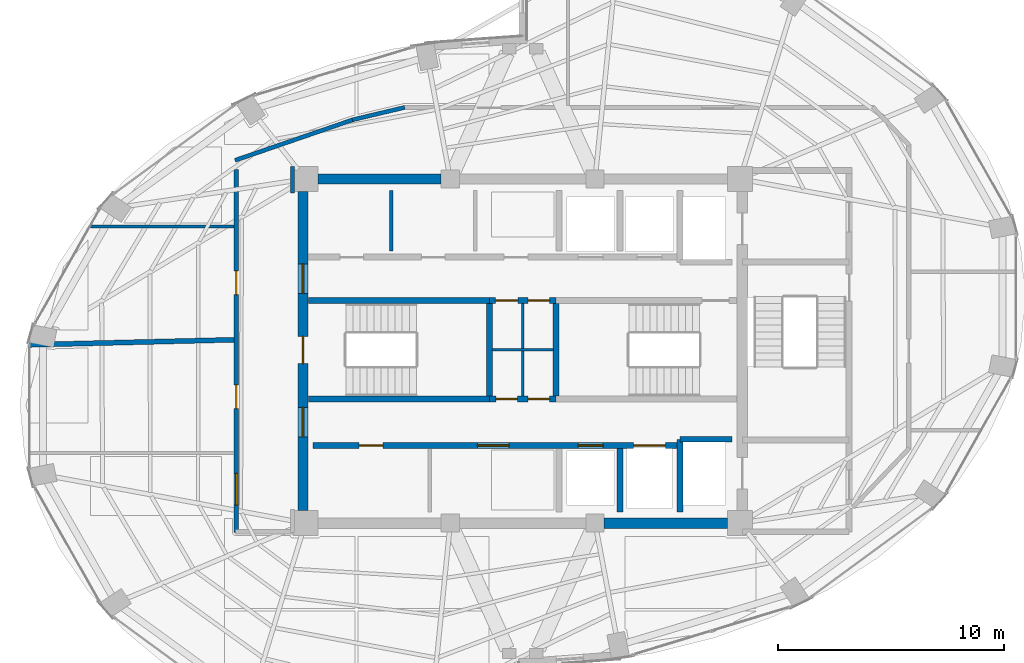
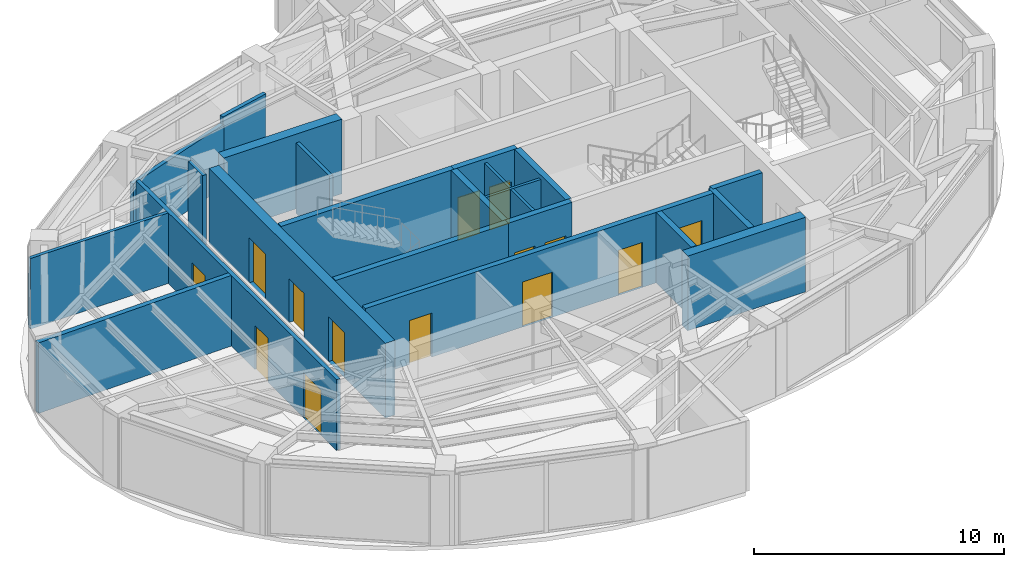
# One storey, part 19 of 23: 22 walls, 14 doors, 14 openings.
"""IFC4 building model written with IfcOpenShell, lengths in metres."""

from ifc_helpers import new_model, si_unit, direction, frame, frame_2d, origin, place, context, subcontext, project, spatial, rectangle, extrude, material, layer, layer_set, type_object, element, fill, save


model = new_model("IFC4")

# Units and contexts
model_context = context("Model", 3, precision=1e-05, world=origin(), true_north=direction((0.0, 1.0)))
body_context = subcontext(model_context, "Body", "Model", "MODEL_VIEW")
ifc_project = project(units=[si_unit("LENGTHUNIT", "METRE"), si_unit("AREAUNIT", "SQUARE_METRE"), si_unit("VOLUMEUNIT", "CUBIC_METRE"), si_unit("PLANEANGLEUNIT", "RADIAN"), si_unit("MASSUNIT", "GRAM", prefix="KILO")], contexts=[model_context])

# Site, building, storey
site_placement = place(None, origin())
site = spatial("IfcSite", under=ifc_project, at=site_placement, CompositionType="ELEMENT")
building_placement = place(site_placement, origin())
building = spatial("IfcBuilding", under=site, at=building_placement, Name="Lazwardi Medical Tower", CompositionType="ELEMENT")
storey_placement = place(building_placement, frame((0.0, 0.0, 234.9599609375)))
storey = spatial("IfcBuildingStorey", under=building, at=storey_placement, Name="L61", CompositionType="ELEMENT", Elevation=234.9599609375)

# Walls
ifc_material_1 = material(Name="Fire-rated gypsum board on steel stud", Category="steel")
ifc_layer_1 = layer(ifc_material_1, 0.179931640625)
ifc_layer_set_1 = layer_set([ifc_layer_1], Name="Fire-rated gypsum board on steel stud")
wall_type_1 = type_object("IfcWallType", Name="WL-COR-180", PredefinedType="PARTITIONING", material=ifc_layer_set_1)
wall_1_placement = place(storey_placement, frame((23.294189453125, 36.422119140625, 0.0), z_axis=(0.0, 0.0, 1.0), x_axis=(0.945493277461, 0.325641616316, 0.0)))
element("IfcWall", 1, at=wall_1_placement, inside=storey, type_object=wall_type_1, Name="L61 Corridor partition 1", PredefinedType="PARTITIONING", context=body_context, shape_type="SweptSolid", body=[
    extrude(rectangle(XDim=5.5615234375, YDim=0.179931640625, at=frame_2d((2.78076171875, 0.0))), origin(), (0.0, 0.0, 1.0), 3.072998046875),
])
wall_2_placement = place(storey_placement, frame((28.475830078125, 38.2109375, 0.0), z_axis=(0.0, 0.0, 1.0), x_axis=(0.973030562203, 0.230676234189, 0.0)))
element("IfcWall", 2, at=wall_2_placement, inside=storey, type_object=wall_type_1, Name="L61 Corridor partition 2", PredefinedType="PARTITIONING", context=body_context, shape_type="SweptSolid", body=[
    extrude(rectangle(XDim=2.377197265625, YDim=0.179931640625, at=frame_2d((1.1884765625, 0.0))), origin(), (0.0, 0.0, 1.0), 3.447998046875),
])
wall_3_placement = place(storey_placement, frame((25.830078125, 36.139892578125, 0.0), z_axis=(0.0, 0.0, 1.0), x_axis=(0.0, -1.0, 0.0)))
element("IfcWall", 3, at=wall_3_placement, inside=storey, type_object=wall_type_1, Name="L61 Corridor partition 7", PredefinedType="PARTITIONING", context=body_context, shape_type="SweptSolid", body=[
    extrude(rectangle(XDim=1.14990234375, YDim=0.179931640625, at=frame_2d((0.574951171875, 0.0))), origin(), (0.0, 0.0, 1.0), 3.447998046875),
])

# Wall, openings, doors
wall_4_placement = place(storey_placement, frame((23.35009765625, 19.97998046875, 0.0), z_axis=(0.0, 0.0, 1.0), x_axis=(0.0, 1.0, 0.0)))
wall_4 = element("IfcWall", 4, at=wall_4_placement, inside=storey, type_object=wall_type_1, Name="L61 Corridor partition 10", PredefinedType="PARTITIONING", context=body_context, shape_type="SweptSolid", body=[
    extrude(rectangle(XDim=16.04248046875, YDim=0.179931640625, at=frame_2d((8.021240234375, 0.0))), origin(), (0.0, 0.0, 1.0), 3.447998046875),
])
opening_1_placement = place(wall_4_placement, frame((5.4765625, 0.0, 0.0)))
opening_1 = element("IfcOpeningElement", 5, at=opening_1_placement, cuts=wall_4, Name="Opening D-L61-014", PredefinedType="OPENING", context=body_context, shape_type="SweptSolid", body=[
    extrude(rectangle(XDim=1.050048828125, YDim=2.14990234375, at=frame_2d((0.52490234375, 1.074951171875))), frame((0.0, 0.099853515625, 0.0), z_axis=(0.0, -1.0, 0.0), x_axis=(1.0, 0.0, 0.0)), (0.0, 0.0, 1.0), 0.199951171875),
])
opening_2_placement = place(wall_4_placement, frame((1.218994140625, 0.0, 0.0)))
opening_2 = element("IfcOpeningElement", 6, at=opening_2_placement, cuts=wall_4, Name="Opening D-L61-015", PredefinedType="OPENING", context=body_context, shape_type="SweptSolid", body=[
    extrude(rectangle(XDim=1.39990234375, YDim=2.199951171875, at=frame_2d((0.699951171875, 1.10009765625))), frame((0.0, 0.099853515625, 0.0), z_axis=(0.0, -1.0, 0.0), x_axis=(1.0, 0.0, 0.0)), (0.0, 0.0, 1.0), 0.199951171875),
])
opening_3_placement = place(wall_4_placement, frame((10.511474609375, 0.0, 0.0)))
opening_3 = element("IfcOpeningElement", 7, at=opening_3_placement, cuts=wall_4, Name="Opening D-L61-019", PredefinedType="OPENING", context=body_context, shape_type="SweptSolid", body=[
    extrude(rectangle(XDim=1.050048828125, YDim=2.14990234375, at=frame_2d((0.52490234375, 1.074951171875))), frame((0.0, 0.099853515625, 0.0), z_axis=(0.0, -1.0, 0.0), x_axis=(1.0, 0.0, 0.0)), (0.0, 0.0, 1.0), 0.199951171875),
])
ifc_material_2 = material(Name="Anti-microbial laminate hospital leaf")
door_type_1 = type_object("IfcDoorType", Name="DR-BED-1400", OperationType="NOTDEFINED", PredefinedType="DOOR", material=ifc_material_2)
door_1_placement = place(opening_2_placement, origin())
door_1 = element("IfcDoor", 8, at=door_1_placement, inside=storey, type_object=door_type_1, Name="L61 Department Reception Foyer Door 02", OperationType="SINGLE_SWING_RIGHT", OverallHeight=2.199951171875, OverallWidth=1.39990234375, PredefinedType="DOOR", context=body_context, shape_type="SweptSolid", body=[
    extrude(rectangle(XDim=1.39990234375, YDim=2.199951171875, at=frame_2d((0.699951171875, 1.10009765625))), frame((0.0, 0.02490234375, 0.0), z_axis=(0.0, -1.0, 0.0), x_axis=(1.0, 0.0, 0.0)), (0.0, 0.0, 1.0), 0.050048828125),
])
fill(opening_2, door_1)
door_type_2 = type_object("IfcDoorType", Name="DR-CLN-1050", OperationType="NOTDEFINED", PredefinedType="DOOR", material=ifc_material_2)
door_2_placement = place(opening_1_placement, origin())
door_2 = element("IfcDoor", 9, at=door_2_placement, inside=storey, type_object=door_type_2, Name="L61 Clinical Specialist Office Door 01", OperationType="SINGLE_SWING_LEFT", OverallHeight=2.14990234375, OverallWidth=1.050048828125, PredefinedType="DOOR", context=body_context, shape_type="SweptSolid", body=[
    extrude(rectangle(XDim=1.050048828125, YDim=2.14990234375, at=frame_2d((0.52490234375, 1.074951171875))), frame((0.0, 0.02490234375, 0.0), z_axis=(0.0, -1.0, 0.0), x_axis=(1.0, 0.0, 0.0)), (0.0, 0.0, 1.0), 0.050048828125),
])
fill(opening_1, door_2)
door_3_placement = place(opening_3_placement, origin())
door_3 = element("IfcDoor", 10, at=door_3_placement, inside=storey, type_object=door_type_2, Name="L61 Clinical Specialist Office Door 06", OperationType="SINGLE_SWING_RIGHT", OverallHeight=2.14990234375, OverallWidth=1.050048828125, PredefinedType="DOOR", context=body_context, shape_type="SweptSolid", body=[
    extrude(rectangle(XDim=1.050048828125, YDim=2.14990234375, at=frame_2d((0.52490234375, 1.074951171875))), frame((0.0, 0.02490234375, 0.0), z_axis=(0.0, -1.0, 0.0), x_axis=(1.0, 0.0, 0.0)), (0.0, 0.0, 1.0), 0.050048828125),
])
fill(opening_3, door_3)

ifc_material_3 = material(Name="Concrete C60/75", Category="concrete")
ifc_layer_2 = layer(ifc_material_3, 0.449951171875)
ifc_layer_set_2 = layer_set([ifc_layer_2], Name="Concrete C60/75")
wall_type_2 = type_object("IfcWallType", Name="WL-CORE-450", PredefinedType="SHEAR", material=ifc_layer_set_2)
wall_5_placement = place(storey_placement, frame((26.300048828125, 20.949951171875, 0.0), z_axis=(0.0, 0.0, 1.0), x_axis=(0.0, 1.0, 0.0)))
wall_5 = element("IfcWall", 11, at=wall_5_placement, inside=storey, type_object=wall_type_2, Name="Core wall CW-S4 west L61", PredefinedType="SHEAR", context=body_context, shape_type="SweptSolid", body=[
    extrude(rectangle(XDim=14.10009765625, YDim=0.449951171875, at=frame_2d((7.050048828125, 0.0))), origin(), (0.0, 0.0, 1.0), 3.64794921875),
])
opening_4_placement = place(wall_5_placement, frame((6.5, 0.0, 0.0)))
opening_4 = element("IfcOpeningElement", 12, at=opening_4_placement, cuts=wall_5, Name="Opening D-L61-020", PredefinedType="OPENING", context=body_context, shape_type="SweptSolid", body=[
    extrude(rectangle(XDim=1.199951171875, YDim=2.14990234375, at=frame_2d((0.60009765625, 1.074951171875))), frame((0.0, 0.23486328125, 0.0), z_axis=(0.0, -1.0, 0.0), x_axis=(1.0, 0.0, 0.0)), (0.0, 0.0, 1.0), 0.469970703125),
])
opening_5_placement = place(wall_5_placement, frame((9.60009765625, 0.0, 0.0)))
opening_5 = element("IfcOpeningElement", 13, at=opening_5_placement, cuts=wall_5, Name="Opening D-L61-012", PredefinedType="OPENING", context=body_context, shape_type="SweptSolid", body=[
    extrude(rectangle(XDim=1.300048828125, YDim=2.199951171875, at=frame_2d((0.64990234375, 1.10009765625))), frame((0.0, 0.23486328125, 0.0), z_axis=(0.0, -1.0, 0.0), x_axis=(1.0, 0.0, 0.0)), (0.0, 0.0, 1.0), 0.469970703125),
])
opening_6_placement = place(wall_5_placement, frame((3.260009765625, 0.0, 0.0)))
opening_6 = element("IfcOpeningElement", 14, at=opening_6_placement, cuts=wall_5, Name="Opening D-L61-013", PredefinedType="OPENING", context=body_context, shape_type="SweptSolid", body=[
    extrude(rectangle(XDim=1.300048828125, YDim=2.199951171875, at=frame_2d((0.64990234375, 1.10009765625))), frame((0.0, 0.23486328125, 0.0), z_axis=(0.0, -1.0, 0.0), x_axis=(1.0, 0.0, 0.0)), (0.0, 0.0, 1.0), 0.469970703125),
])
ifc_material_4 = material(Name="Fire-rated steel leaf and frame", Category="steel")
door_type_3 = type_object("IfcDoorType", Name="DR-FFL-1300", OperationType="NOTDEFINED", PredefinedType="DOOR", material=ifc_material_4)
door_4_placement = place(opening_5_placement, origin())
door_4 = element("IfcDoor", 15, at=door_4_placement, inside=storey, type_object=door_type_3, Name="L61 North Lift Lobby Door", OperationType="SINGLE_SWING_LEFT", OverallHeight=2.199951171875, OverallWidth=1.300048828125, PredefinedType="DOOR", context=body_context, shape_type="SweptSolid", body=[
    extrude(rectangle(XDim=1.300048828125, YDim=2.199951171875, at=frame_2d((0.64990234375, 1.10009765625))), frame((0.0, 0.02490234375, 0.0), z_axis=(0.0, -1.0, 0.0), x_axis=(1.0, 0.0, 0.0)), (0.0, 0.0, 1.0), 0.050048828125),
])
fill(opening_5, door_4)
door_5_placement = place(opening_6_placement, origin())
door_5 = element("IfcDoor", 16, at=door_5_placement, inside=storey, type_object=door_type_3, Name="L61 South Lift Lobby Door", OperationType="SINGLE_SWING_RIGHT", OverallHeight=2.199951171875, OverallWidth=1.300048828125, PredefinedType="DOOR", context=body_context, shape_type="SweptSolid", body=[
    extrude(rectangle(XDim=1.300048828125, YDim=2.199951171875, at=frame_2d((0.64990234375, 1.10009765625))), frame((0.0, 0.02490234375, 0.0), z_axis=(0.0, -1.0, 0.0), x_axis=(1.0, 0.0, 0.0)), (0.0, 0.0, 1.0), 0.050048828125),
])
fill(opening_6, door_5)
door_type_4 = type_object("IfcDoorType", Name="DR-STR-1200", OperationType="NOTDEFINED", PredefinedType="DOOR", material=ifc_material_4)
door_6_placement = place(opening_4_placement, origin())
door_6 = element("IfcDoor", 17, at=door_6_placement, inside=storey, type_object=door_type_4, Name="L61 Exit Stair ST1 Door", OperationType="SINGLE_SWING_LEFT", OverallHeight=2.14990234375, OverallWidth=1.199951171875, PredefinedType="DOOR", context=body_context, shape_type="SweptSolid", body=[
    extrude(rectangle(XDim=1.199951171875, YDim=2.14990234375, at=frame_2d((0.60009765625, 1.074951171875))), frame((0.0, 0.02490234375, 0.0), z_axis=(0.0, -1.0, 0.0), x_axis=(1.0, 0.0, 0.0)), (0.0, 0.0, 1.0), 0.050048828125),
])
fill(opening_4, door_6)

# Walls
for number, where, z_axis, x_axis, name in (
    (18, (26.949951171875, 35.60009765625, 0.0), (0.0, 0.0, 1.0), (1.0, 0.0, 0.0), "Core wall CW-S4 N1 L61"),
    (19, (39.60009765625, 20.39990234375, 0.0), (0.0, 0.0, 1.0), (1.0, 0.0, 0.0), "Core wall CW-S4 S3 L61"),
):
    element("IfcWall", number, at=place(storey_placement, frame(where, z_axis=z_axis, x_axis=x_axis)), inside=storey, type_object=wall_type_2, Name=name, PredefinedType="SHEAR", context=body_context, shape_type="SweptSolid", body=[
        extrude(rectangle(XDim=5.449951171875, YDim=0.449951171875, at=frame_2d((2.72509765625, 0.0))), origin(), (0.0, 0.0, 1.0), 3.64794921875),
    ])
ifc_material_5 = material(Name="Moisture-resistant gypsum board partition")
ifc_layer_3 = layer(ifc_material_5, 0.125)
ifc_layer_set_3 = layer_set([ifc_layer_3], Name="Moisture-resistant gypsum board partition")
wall_type_3 = type_object("IfcWallType", Name="WL-ENS-125", PredefinedType="PARTITIONING", material=ifc_layer_set_3)
wall_6_placement = place(storey_placement, frame((34.64990234375, 28.06005859375, 0.0), z_axis=(0.0, 0.0, 1.0), x_axis=(1.0, 0.0, 0.0)))
element("IfcWall", 20, at=wall_6_placement, inside=storey, type_object=wall_type_3, Name="L61 Core 4-way H divider", PredefinedType="PARTITIONING", context=body_context, shape_type="SweptSolid", body=[
    extrude(rectangle(XDim=2.7001953125, YDim=0.125, at=frame_2d((1.35009765625, 0.0))), origin(), (0.0, 0.0, 1.0), 3.447998046875),
])
wall_7_placement = place(storey_placement, frame((36.0, 26.02001953125, 0.0), z_axis=(0.0, 0.0, 1.0), x_axis=(0.0, 1.0, 0.0)))
element("IfcWall", 21, at=wall_7_placement, inside=storey, type_object=wall_type_3, Name="L61 Core 4-way V divider", PredefinedType="PARTITIONING", context=body_context, shape_type="SweptSolid", body=[
    extrude(rectangle(XDim=4.080078125, YDim=0.125, at=frame_2d((2.0400390625, 0.0))), origin(), (0.0, 0.0, 1.0), 3.447998046875),
])

# Wall, openings, doors
ifc_material_6 = material(Name="Autoclaved aerated concrete blockwork", Category="masonry")
ifc_layer_4 = layer(ifc_material_6, 0.25)
ifc_layer_set_4 = layer_set([ifc_layer_4], Name="Autoclaved aerated concrete blockwork")
wall_type_4 = type_object("IfcWallType", Name="WL-SHAFT-250", PredefinedType="SOLIDWALL", material=ifc_layer_set_4)
wall_8_placement = place(storey_placement, frame((26.75, 23.830078125, 0.0), z_axis=(0.0, 0.0, 1.0), x_axis=(1.0, 0.0, 0.0)))
wall_8 = element("IfcWall", 22, at=wall_8_placement, inside=storey, type_object=wall_type_4, Name="L61 South lift bank front wall", PredefinedType="SOLIDWALL", context=body_context, shape_type="SweptSolid", body=[
    extrude(rectangle(XDim=16.199951171875, YDim=0.25, at=frame_2d((8.10009765625, 0.0))), origin(), (0.0, 0.0, 1.0), 3.447998046875),
])
opening_7_placement = place(wall_8_placement, frame((2.02490234375, 0.0, 0.0)))
opening_7 = element("IfcOpeningElement", 23, at=opening_7_placement, cuts=wall_8, Name="Opening D-L61-008", PredefinedType="OPENING", context=body_context, shape_type="SweptSolid", body=[
    extrude(rectangle(XDim=1.050048828125, YDim=2.14990234375, at=frame_2d((0.52490234375, 1.074951171875))), frame((0.0, 0.135009765625, 0.0), z_axis=(0.0, -1.0, 0.0), x_axis=(1.0, 0.0, 0.0)), (0.0, 0.0, 1.0), 0.27001953125),
])
opening_8_placement = place(wall_8_placement, frame((7.25, 0.0, 0.0)))
opening_8 = element("IfcOpeningElement", 24, at=opening_8_placement, cuts=wall_8, Name="Opening D-L61-009", PredefinedType="OPENING", context=body_context, shape_type="SweptSolid", body=[
    extrude(rectangle(XDim=1.39990234375, YDim=2.199951171875, at=frame_2d((0.699951171875, 1.10009765625))), frame((0.0, 0.135009765625, 0.0), z_axis=(0.0, -1.0, 0.0), x_axis=(1.0, 0.0, 0.0)), (0.0, 0.0, 1.0), 0.27001953125),
])
opening_9_placement = place(wall_8_placement, frame((11.699951171875, 0.0, 0.0)))
opening_9 = element("IfcOpeningElement", 25, at=opening_9_placement, cuts=wall_8, Name="Opening LD-L61-006", PredefinedType="OPENING", context=body_context, shape_type="SweptSolid", body=[
    extrude(rectangle(XDim=1.10009765625, YDim=2.199951171875, at=frame_2d((0.550048828125, 1.10009765625))), frame((0.0, 0.135009765625, 0.0), z_axis=(0.0, -1.0, 0.0), x_axis=(1.0, 0.0, 0.0)), (0.0, 0.0, 1.0), 0.27001953125),
])
opening_10_placement = place(wall_8_placement, frame((14.14990234375, 0.0, 0.0)))
opening_10 = element("IfcOpeningElement", 26, at=opening_10_placement, cuts=wall_8, Name="Opening LD-L61-003", PredefinedType="OPENING", context=body_context, shape_type="SweptSolid", body=[
    extrude(rectangle(XDim=1.39990234375, YDim=2.300048828125, at=frame_2d((0.699951171875, 1.14990234375))), frame((0.0, 0.135009765625, 0.0), z_axis=(0.0, -1.0, 0.0), x_axis=(1.0, 0.0, 0.0)), (0.0, 0.0, 1.0), 0.27001953125),
])
door_7_placement = place(opening_8_placement, origin())
door_7 = element("IfcDoor", 27, at=door_7_placement, inside=storey, type_object=door_type_1, Name="L61 Dialysis Door", OperationType="SINGLE_SWING_LEFT", OverallHeight=2.199951171875, OverallWidth=1.39990234375, PredefinedType="DOOR", context=body_context, shape_type="SweptSolid", body=[
    extrude(rectangle(XDim=1.39990234375, YDim=2.199951171875, at=frame_2d((0.699951171875, 1.10009765625))), frame((0.0, 0.02490234375, 0.0), z_axis=(0.0, -1.0, 0.0), x_axis=(1.0, 0.0, 0.0)), (0.0, 0.0, 1.0), 0.050048828125),
])
fill(opening_8, door_7)
door_8_placement = place(opening_7_placement, origin())
door_8 = element("IfcDoor", 28, at=door_8_placement, inside=storey, type_object=door_type_2, Name="L61 Clinical Laboratory Door", OperationType="SINGLE_SWING_RIGHT", OverallHeight=2.14990234375, OverallWidth=1.050048828125, PredefinedType="DOOR", context=body_context, shape_type="SweptSolid", body=[
    extrude(rectangle(XDim=1.050048828125, YDim=2.14990234375, at=frame_2d((0.52490234375, 1.074951171875))), frame((0.0, 0.02490234375, 0.0), z_axis=(0.0, -1.0, 0.0), x_axis=(1.0, 0.0, 0.0)), (0.0, 0.0, 1.0), 0.050048828125),
])
fill(opening_7, door_8)
ifc_material_7 = material(Name="Brushed bronze stainless steel landing door", Category="steel")
door_type_5 = type_object("IfcDoorType", Name="DR-LFT-1100", OperationType="NOTDEFINED", PredefinedType="DOOR", material=ifc_material_7)
door_9_placement = place(opening_9_placement, origin())
door_9 = element("IfcDoor", 29, at=door_9_placement, inside=storey, type_object=door_type_5, Name="L61 Lift Landing Door PL-11", OperationType="SLIDING_TO_LEFT", OverallHeight=2.199951171875, OverallWidth=1.10009765625, PredefinedType="DOOR", context=body_context, shape_type="SweptSolid", body=[
    extrude(rectangle(XDim=1.10009765625, YDim=2.199951171875, at=frame_2d((0.550048828125, 1.10009765625))), frame((0.0, 0.02490234375, 0.0), z_axis=(0.0, -1.0, 0.0), x_axis=(1.0, 0.0, 0.0)), (0.0, 0.0, 1.0), 0.050048828125),
])
fill(opening_9, door_9)
ifc_material_8 = material(Name="Brushed stainless steel bed-lift landing door", Category="steel")
door_type_6 = type_object("IfcDoorType", Name="DR-LFT-1400", OperationType="NOTDEFINED", PredefinedType="DOOR", material=ifc_material_8)
door_10_placement = place(opening_10_placement, origin())
door_10 = element("IfcDoor", 30, at=door_10_placement, inside=storey, type_object=door_type_6, Name="L61 Lift Landing Door FL-03", OperationType="SLIDING_TO_LEFT", OverallHeight=2.300048828125, OverallWidth=1.39990234375, PredefinedType="DOOR", context=body_context, shape_type="SweptSolid", body=[
    extrude(rectangle(XDim=1.39990234375, YDim=2.300048828125, at=frame_2d((0.699951171875, 1.14990234375))), frame((0.0, 0.02490234375, 0.0), z_axis=(0.0, -1.0, 0.0), x_axis=(1.0, 0.0, 0.0)), (0.0, 0.0, 1.0), 0.050048828125),
])
fill(opening_10, door_10)

# Walls
wall_9_placement = place(storey_placement, frame((42.949951171875, 20.89990234375, 0.0), z_axis=(0.0, 0.0, 1.0), x_axis=(0.0, 1.0, 0.0)))
element("IfcWall", 31, at=wall_9_placement, inside=storey, type_object=wall_type_4, Name="L61 FL-02 West shaft wall", PredefinedType="SOLIDWALL", context=body_context, shape_type="SweptSolid", body=[
    extrude(rectangle(XDim=3.2001953125, YDim=0.25, at=frame_2d((1.60009765625, 0.0))), origin(), (0.0, 0.0, 1.0), 3.447998046875),
])
wall_10_placement = place(storey_placement, frame((42.949951171875, 24.10009765625, 0.0), z_axis=(0.0, 0.0, 1.0), x_axis=(1.0, 0.0, 0.0)))
element("IfcWall", 32, at=wall_10_placement, inside=storey, type_object=wall_type_4, Name="L61 FL-02 North shaft wall", PredefinedType="SOLIDWALL", context=body_context, shape_type="SweptSolid", body=[
    extrude(rectangle(XDim=2.300048828125, YDim=0.25, at=frame_2d((1.14990234375, 0.0))), origin(), (0.0, 0.0, 1.0), 3.447998046875),
])
wall_11_placement = place(storey_placement, frame((40.300048828125, 20.89990234375, 0.0), z_axis=(0.0, 0.0, 1.0), x_axis=(0.0, 1.0, 0.0)))
element("IfcWall", 33, at=wall_11_placement, inside=storey, type_object=wall_type_4, Name="L61 South hoistway divider", PredefinedType="SOLIDWALL", context=body_context, shape_type="SweptSolid", body=[
    extrude(rectangle(XDim=2.800048828125, YDim=0.25, at=frame_2d((1.39990234375, 0.0))), origin(), (0.0, 0.0, 1.0), 3.447998046875),
])
ifc_layer_5 = layer(ifc_material_1, 0.219970703125)
ifc_layer_set_5 = layer_set([ifc_layer_5], Name="Fire-rated gypsum board on steel stud")
wall_type_5 = type_object("IfcWallType", Name="WL-SMK-220", PredefinedType="PARTITIONING", material=ifc_layer_set_5)
wall_12_placement = place(storey_placement, frame((14.213134765625, 28.275390625, 0.0), z_axis=(0.0, 0.0, 1.0), x_axis=(0.99969661311, 0.024630910184, 0.0)))
element("IfcWall", 34, at=wall_12_placement, inside=storey, type_object=wall_type_5, Name="L61 Room partition 2", PredefinedType="PARTITIONING", context=body_context, shape_type="SweptSolid", body=[
    extrude(rectangle(XDim=9.049560546875, YDim=0.219970703125, at=frame_2d((4.52490234375, 0.0))), origin(), (0.0, 0.0, 1.0), 3.447998046875),
])
ifc_material_9 = material(Name="Concrete C50/60", Category="concrete")
ifc_layer_6 = layer(ifc_material_9, 0.27001953125)
ifc_layer_set_6 = layer_set([ifc_layer_6], Name="Concrete C50/60")
wall_type_6 = type_object("IfcWallType", Name="WL-STR-250", PredefinedType="SHEAR", material=ifc_layer_set_6)
wall_13_placement = place(storey_placement, frame((26.550048828125, 30.235107421875, 0.0), z_axis=(0.0, 0.0, 1.0), x_axis=(1.0, 0.0, 0.0)))
element("IfcWall", 35, at=wall_13_placement, inside=storey, type_object=wall_type_6, Name="L61 ST1 North shear shaft wall SW-S1", PredefinedType="SHEAR", context=body_context, shape_type="SweptSolid", body=[
    extrude(rectangle(XDim=7.98486328125, YDim=0.27001953125, at=frame_2d((3.992431640625, 0.0))), origin(), (0.0, 0.0, 1.0), 3.64794921875),
])

# Wall, openings, doors
wall_14_placement = place(storey_placement, frame((34.534912109375, 30.235107421875, 0.0), z_axis=(0.0, 0.0, 1.0), x_axis=(1.0, 0.0, 0.0)))
wall_14 = element("IfcWall", 36, at=wall_14_placement, inside=storey, type_object=wall_type_6, Name="L61 Core service North shear wall SW-S1", PredefinedType="SHEAR", context=body_context, shape_type="SweptSolid", body=[
    extrude(rectangle(XDim=2.93017578125, YDim=0.27001953125, at=frame_2d((1.465087890625, 0.0))), origin(), (0.0, 0.0, 1.0), 3.64794921875),
])
opening_11_placement = place(wall_14_placement, frame((0.2548828125, 0.0, 0.0)))
opening_11 = element("IfcOpeningElement", 37, at=opening_11_placement, cuts=wall_14, Name="Opening D-L61-003", PredefinedType="OPENING", context=body_context, shape_type="SweptSolid", body=[
    extrude(rectangle(XDim=1.0, YDim=2.10009765625, at=frame_2d((0.5, 1.050048828125))), frame((0.0, 0.14501953125, 0.0), z_axis=(0.0, -1.0, 0.0), x_axis=(1.0, 0.0, 0.0)), (0.0, 0.0, 1.0), 0.2900390625),
])
opening_12_placement = place(wall_14_placement, frame((1.699951171875, 0.0, 0.0)))
opening_12 = element("IfcOpeningElement", 38, at=opening_12_placement, cuts=wall_14, Name="Opening D-L61-004", PredefinedType="OPENING", context=body_context, shape_type="SweptSolid", body=[
    extrude(rectangle(XDim=0.949951171875, YDim=2.10009765625, at=frame_2d((0.47509765625, 1.050048828125))), frame((0.0, 0.14501953125, 0.0), z_axis=(0.0, -1.0, 0.0), x_axis=(1.0, 0.0, 0.0)), (0.0, 0.0, 1.0), 0.2900390625),
])
ifc_material_10 = material(Name="Moisture-resistant laminate door leaf")
door_type_7 = type_object("IfcDoorType", Name="DR-AWC-1000", OperationType="NOTDEFINED", PredefinedType="DOOR", material=ifc_material_10)
door_11_placement = place(opening_11_placement, origin())
door_11 = element("IfcDoor", 39, at=door_11_placement, inside=storey, type_object=door_type_7, Name="L61 Accessible WC Door", OperationType="SINGLE_SWING_LEFT", OverallHeight=2.10009765625, OverallWidth=1.0, PredefinedType="DOOR", context=body_context, shape_type="SweptSolid", body=[
    extrude(rectangle(XDim=1.0, YDim=2.10009765625, at=frame_2d((0.5, 1.050048828125))), frame((0.0, 0.02490234375, 0.0), z_axis=(0.0, -1.0, 0.0), x_axis=(1.0, 0.0, 0.0)), (0.0, 0.0, 1.0), 0.050048828125),
])
fill(opening_11, door_11)
door_type_8 = type_object("IfcDoorType", Name="DR-ENS-950", OperationType="NOTDEFINED", PredefinedType="DOOR", material=ifc_material_10)
door_12_placement = place(opening_12_placement, origin())
door_12 = element("IfcDoor", 40, at=door_12_placement, inside=storey, type_object=door_type_8, Name="L61 Clean Utility Door", OperationType="SINGLE_SWING_RIGHT", OverallHeight=2.10009765625, OverallWidth=0.949951171875, PredefinedType="DOOR", context=body_context, shape_type="SweptSolid", body=[
    extrude(rectangle(XDim=0.949951171875, YDim=2.10009765625, at=frame_2d((0.47509765625, 1.050048828125))), frame((0.0, 0.02490234375, 0.0), z_axis=(0.0, -1.0, 0.0), x_axis=(1.0, 0.0, 0.0)), (0.0, 0.0, 1.0), 0.050048828125),
])
fill(opening_12, door_12)

# Wall
wall_15_placement = place(storey_placement, frame((26.550048828125, 25.885009765625, 0.0), z_axis=(0.0, 0.0, 1.0), x_axis=(1.0, 0.0, 0.0)))
element("IfcWall", 41, at=wall_15_placement, inside=storey, type_object=wall_type_6, Name="L61 ST1 South shear shaft wall SW-S1", PredefinedType="SHEAR", context=body_context, shape_type="SweptSolid", body=[
    extrude(rectangle(XDim=7.98486328125, YDim=0.27001953125, at=frame_2d((3.992431640625, 0.0))), origin(), (0.0, 0.0, 1.0), 3.64794921875),
])

# Wall, openings, doors
wall_16_placement = place(storey_placement, frame((34.534912109375, 25.885009765625, 0.0), z_axis=(0.0, 0.0, 1.0), x_axis=(1.0, 0.0, 0.0)))
wall_16 = element("IfcWall", 42, at=wall_16_placement, inside=storey, type_object=wall_type_6, Name="L61 Core service South shear wall SW-S1", PredefinedType="SHEAR", context=body_context, shape_type="SweptSolid", body=[
    extrude(rectangle(XDim=2.93017578125, YDim=0.27001953125, at=frame_2d((1.465087890625, 0.0))), origin(), (0.0, 0.0, 1.0), 3.64794921875),
])
opening_13_placement = place(wall_16_placement, frame((0.280029296875, 0.0, 0.0)))
opening_13 = element("IfcOpeningElement", 43, at=opening_13_placement, cuts=wall_16, Name="Opening D-L61-001", PredefinedType="OPENING", context=body_context, shape_type="SweptSolid", body=[
    extrude(rectangle(XDim=0.949951171875, YDim=2.10009765625, at=frame_2d((0.47509765625, 1.050048828125))), frame((0.0, 0.14501953125, 0.0), z_axis=(0.0, -1.0, 0.0), x_axis=(1.0, 0.0, 0.0)), (0.0, 0.0, 1.0), 0.2900390625),
])
opening_14_placement = place(wall_16_placement, frame((1.699951171875, 0.0, 0.0)))
opening_14 = element("IfcOpeningElement", 44, at=opening_14_placement, cuts=wall_16, Name="Opening D-L61-002", PredefinedType="OPENING", context=body_context, shape_type="SweptSolid", body=[
    extrude(rectangle(XDim=0.949951171875, YDim=2.10009765625, at=frame_2d((0.47509765625, 1.050048828125))), frame((0.0, 0.14501953125, 0.0), z_axis=(0.0, -1.0, 0.0), x_axis=(1.0, 0.0, 0.0)), (0.0, 0.0, 1.0), 0.2900390625),
])
door_13_placement = place(opening_13_placement, origin())
door_13 = element("IfcDoor", 45, at=door_13_placement, inside=storey, type_object=door_type_8, Name="L61 Staff WC Door", OperationType="SINGLE_SWING_LEFT", OverallHeight=2.10009765625, OverallWidth=0.949951171875, PredefinedType="DOOR", context=body_context, shape_type="SweptSolid", body=[
    extrude(rectangle(XDim=0.949951171875, YDim=2.10009765625, at=frame_2d((0.47509765625, 1.050048828125))), frame((0.0, 0.02490234375, 0.0), z_axis=(0.0, -1.0, 0.0), x_axis=(1.0, 0.0, 0.0)), (0.0, 0.0, 1.0), 0.050048828125),
])
fill(opening_13, door_13)
door_14_placement = place(opening_14_placement, origin())
door_14 = element("IfcDoor", 46, at=door_14_placement, inside=storey, type_object=door_type_8, Name="L61 Comms Room Door", OperationType="SINGLE_SWING_RIGHT", OverallHeight=2.10009765625, OverallWidth=0.949951171875, PredefinedType="DOOR", context=body_context, shape_type="SweptSolid", body=[
    extrude(rectangle(XDim=0.949951171875, YDim=2.10009765625, at=frame_2d((0.47509765625, 1.050048828125))), frame((0.0, 0.02490234375, 0.0), z_axis=(0.0, -1.0, 0.0), x_axis=(1.0, 0.0, 0.0)), (0.0, 0.0, 1.0), 0.050048828125),
])
fill(opening_14, door_14)

# Walls
for number, where, z_axis, x_axis, name in (
    (47, (34.534912109375, 26.02001953125, 0.0), (0.0, 0.0, 1.0), (0.0, 1.0, 0.0), "L61 ST1 East shear shaft wall SW-S1"),
    (48, (37.465087890625, 26.02001953125, 0.0), (0.0, 0.0, 1.0), (0.0, 1.0, 0.0), "L61 ST2 West shear shaft wall SW-S1"),
):
    element("IfcWall", number, at=place(storey_placement, frame(where, z_axis=z_axis, x_axis=x_axis)), inside=storey, type_object=wall_type_6, Name=name, PredefinedType="SHEAR", context=body_context, shape_type="SweptSolid", body=[
        extrude(rectangle(XDim=4.080078125, YDim=0.27001953125, at=frame_2d((2.0400390625, 0.0))), origin(), (0.0, 0.0, 1.0), 3.64794921875),
    ])
ifc_material_11 = material(Name="Acoustic gypsum board partition")
ifc_layer_7 = layer(ifc_material_11, 0.14990234375)
ifc_layer_set_7 = layer_set([ifc_layer_7], Name="Acoustic gypsum board partition")
wall_type_7 = type_object("IfcWallType", Name="WL-WRD-150", PredefinedType="PARTITIONING", material=ifc_layer_set_7)
wall_17_placement = place(storey_placement, frame((30.199951171875, 32.419921875, 0.0), z_axis=(0.0, 0.0, 1.0), x_axis=(0.0, 1.0, 0.0)))
element("IfcWall", 49, at=wall_17_placement, inside=storey, type_object=wall_type_7, Name="L61 Freed bay2 N split A", PredefinedType="PARTITIONING", context=body_context, shape_type="SweptSolid", body=[
    extrude(rectangle(XDim=2.68017578125, YDim=0.14990234375, at=frame_2d((1.340087890625, 0.0))), origin(), (0.0, 0.0, 1.0), 3.447998046875),
])
wall_18_placement = place(storey_placement, frame((16.89501953125, 33.5, 0.0), z_axis=(0.0, 0.0, 1.0), x_axis=(1.0, 0.0, 0.0)))
element("IfcWall", 50, at=wall_18_placement, inside=storey, type_object=wall_type_7, Name="L61 Room partition 3", PredefinedType="PARTITIONING", context=body_context, shape_type="SweptSolid", body=[
    extrude(rectangle(XDim=6.364990234375, YDim=0.14990234375, at=frame_2d((3.1826171875, 0.0))), origin(), (0.0, 0.0, 1.0), 3.447998046875),
])

save(model, "model.ifc")
